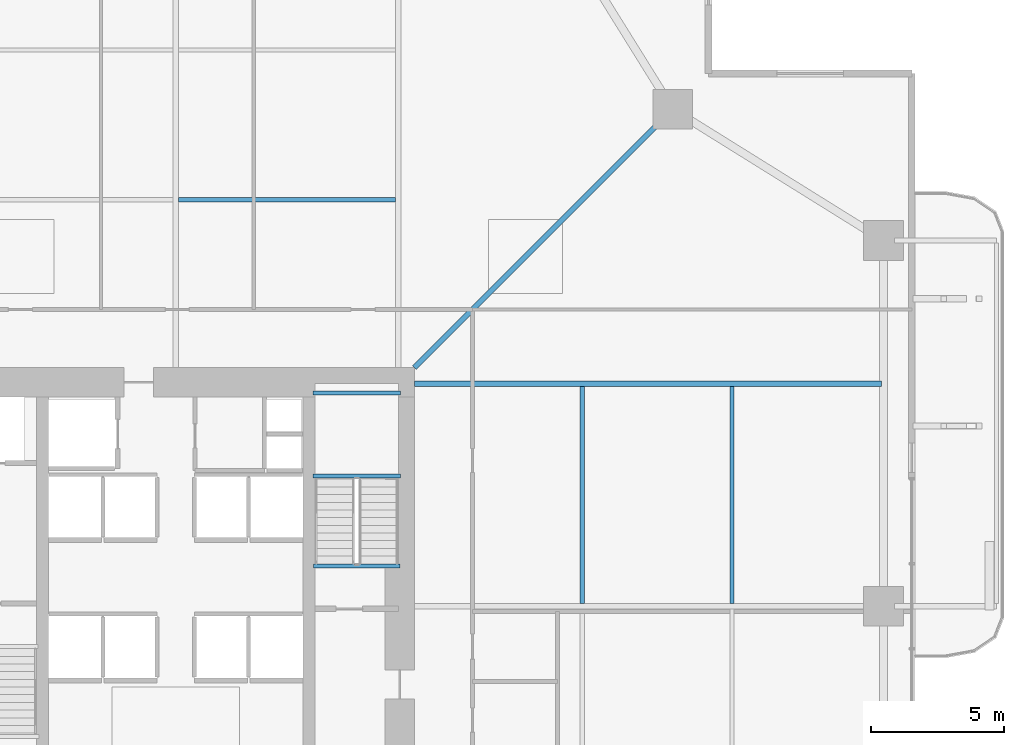
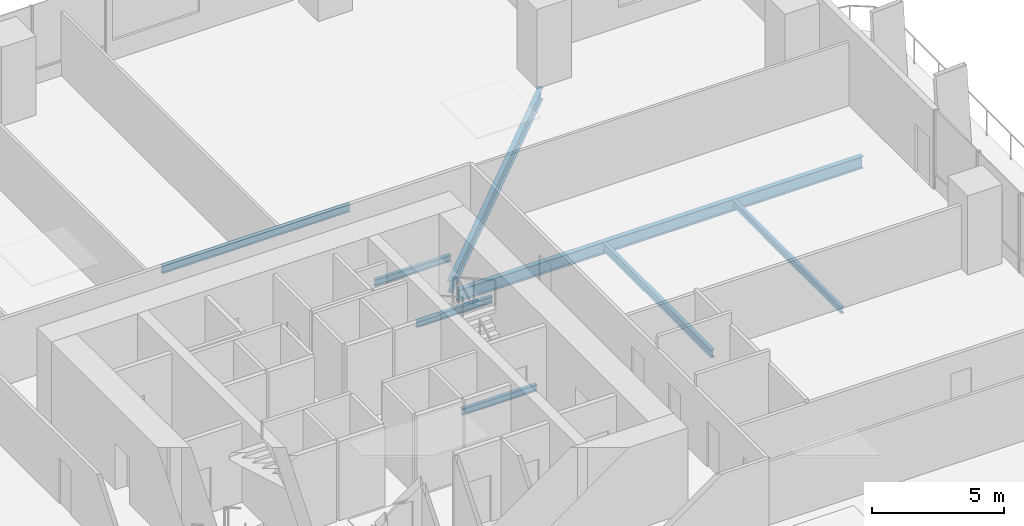
# One storey, part 12 of 24: 8 beams.
"""IFC4 building model written with IfcOpenShell, lengths in metres."""

from ifc_helpers import new_model, si_unit, direction, frame, origin, origin_2d, place, context, subcontext, project, spatial, i_section, extrude, material, material_profile, profile_set, type_object, element, save


model = new_model("IFC4")

# Units and contexts
model_context = context("Model", 3, precision=1e-05, world=origin(), true_north=direction((0.0, 1.0)))
body_context = subcontext(model_context, "Body", "Model", "MODEL_VIEW")
ifc_project = project(units=[si_unit("LENGTHUNIT", "METRE"), si_unit("AREAUNIT", "SQUARE_METRE"), si_unit("VOLUMEUNIT", "CUBIC_METRE"), si_unit("PLANEANGLEUNIT", "RADIAN"), si_unit("MASSUNIT", "GRAM", prefix="KILO")], contexts=[model_context])

# Site, building, storey
site_placement = place(None, origin())
site = spatial("IfcSite", under=ifc_project, at=site_placement, CompositionType="ELEMENT")
building_placement = place(site_placement, origin())
building = spatial("IfcBuilding", under=site, at=building_placement, Name="Belovzor Exchange Tower", CompositionType="ELEMENT")
storey_placement = place(building_placement, frame((0.0, 0.0, 61.199951171875)))
storey = spatial("IfcBuildingStorey", under=building, at=storey_placement, Name="L14", CompositionType="ELEMENT", Elevation=61.199951171875)

# Beams
ifc_material_1 = material(Name="Steel S355", Category="steel")
ifc_material_profile_1 = material_profile(ifc_material_1, i_section(OverallWidth=0.169921875, OverallDepth=0.360107421875, WebThickness=0.008056640625, FlangeThickness=0.0126953125, at=origin_2d()))
ifc_profile_set_1 = profile_set([ifc_material_profile_1], Name="Steel S355")
beam_type_1 = type_object("IfcBeamType", Name="Secondary Infill Floor Joist IPE 360", PredefinedType="BEAM", material=ifc_profile_set_1)
for number, where, z_axis, x_axis, name in (
    (1, (28.905029296875, 44.14501953125, -0.429931640625), (1.0, 0.0, 0.0), (0.0, 1.0, 0.0), "FJ-360 Secondary Infill Floor Joist IPE 360"),
    (2, (44.14501953125, 28.905029296875, -0.429931640625), (0.0, 1.0, 0.0), (-1.0, 0.0, 0.0), "FJ-360 Secondary Infill Floor Joist IPE 360"),
):
    element("IfcBeam", number, at=place(storey_placement, frame(where, z_axis=z_axis, x_axis=x_axis)), inside=storey, type_object=beam_type_1, Name=name, PredefinedType="BEAM", context=body_context, shape_type="SweptSolid", body=[
        extrude(i_section(OverallWidth=0.169921875, OverallDepth=0.360107421875, WebThickness=0.008056640625, FlangeThickness=0.0126953125, at=origin_2d()), origin(), (0.0, 0.0, 1.0), 8.18994140625),
    ])
ifc_material_2 = material(Name="Steel S355", Category="steel")
ifc_material_profile_2 = material_profile(ifc_material_2, i_section(OverallWidth=0.14990234375, OverallDepth=0.300048828125, WebThickness=0.007080078125, FlangeThickness=0.0107421875, at=origin_2d()))
ifc_profile_set_2 = profile_set([ifc_material_profile_2], Name="Steel S355")
beam_type_2 = type_object("IfcBeamType", Name="Secondary Trim Floor Joist IPE 300", PredefinedType="BEAM", material=ifc_profile_set_2)
for number, where, z_axis, x_axis, name in (
    (3, (37.280029296875, 33.7099609375, 1.60009765625), (-1.0, 0.0, 0.0), (0.0, -1.0, 0.0), "FJ-300 Secondary Trim Floor Joist IPE 300"),
    (4, (37.280029296875, 36.85009765625, 1.60009765625), (-1.0, 0.0, 0.0), (0.0, -1.0, 0.0), "FJ-300 Secondary Trim Floor Joist IPE 300"),
):
    element("IfcBeam", number, at=place(storey_placement, frame(where, z_axis=z_axis, x_axis=x_axis)), inside=storey, type_object=beam_type_2, Name=name, PredefinedType="BEAM", context=body_context, shape_type="SweptSolid", body=[
        extrude(i_section(OverallWidth=0.14990234375, OverallDepth=0.300048828125, WebThickness=0.007080078125, FlangeThickness=0.0107421875, at=origin_2d()), origin(), (0.0, 0.0, 1.0), 3.31005859375),
    ])
beam_1_placement = place(storey_placement, frame((37.260009765625, 30.320068359375, -0.39990234375), z_axis=(-1.0, 0.0, 0.0), x_axis=(0.0, -1.0, 0.0)))
element("IfcBeam", 5, at=beam_1_placement, inside=storey, type_object=beam_type_2, Name="FJ-300 Secondary Trim Floor Joist IPE 300", PredefinedType="BEAM", context=body_context, shape_type="SweptSolid", body=[
    extrude(i_section(OverallWidth=0.14990234375, OverallDepth=0.300048828125, WebThickness=0.007080078125, FlangeThickness=0.0107421875, at=origin_2d()), origin(), (0.0, 0.0, 1.0), 3.27001953125),
])
beam_2_placement = place(storey_placement, frame((49.784912109375, 28.905029296875, -0.39990234375), z_axis=(0.0, 1.0, 0.0), x_axis=(-1.0, 0.0, 0.0)))
element("IfcBeam", 6, at=beam_2_placement, inside=storey, type_object=beam_type_2, Name="FJ-300 Secondary Trim Floor Joist IPE 300", PredefinedType="BEAM", context=body_context, shape_type="SweptSolid", body=[
    extrude(i_section(OverallWidth=0.14990234375, OverallDepth=0.300048828125, WebThickness=0.007080078125, FlangeThickness=0.0107421875, at=origin_2d()), origin(), (0.0, 0.0, 1.0), 8.18994140625),
])
ifc_material_3 = material(Name="Steel S355", Category="steel")
ifc_material_profile_3 = material_profile(ifc_material_3, i_section(OverallWidth=0.2099609375, OverallDepth=0.550048828125, WebThickness=0.010986328125, FlangeThickness=0.01708984375, at=origin_2d()))
ifc_profile_set_3 = profile_set([ifc_material_profile_3], Name="Steel S355")
beam_type_3 = type_object("IfcBeamType", Name="Zone 1 Radial Composite Floor Beam IPE 550", PredefinedType="BEAM", material=ifc_profile_set_3)
beam_3_placement = place(storey_placement, frame((37.800048828125, 37.199951171875, -0.52490234375), z_axis=(1.0, 0.0, 0.0), x_axis=(0.0, 1.0, 0.0)))
element("IfcBeam", 7, at=beam_3_placement, inside=storey, type_object=beam_type_3, Name="FB-550 Zone 1 Radial Composite Floor Beam IPE 550", PredefinedType="BEAM", context=body_context, shape_type="SweptSolid", body=[
    extrude(i_section(OverallWidth=0.2099609375, OverallDepth=0.550048828125, WebThickness=0.010986328125, FlangeThickness=0.01708984375, at=origin_2d()), origin(), (0.0, 0.0, 1.0), 17.625),
])
beam_4_placement = place(storey_placement, frame((37.800048828125, 37.800048828125, -0.52490234375), z_axis=(0.707106781187, 0.707106781187, 0.0), x_axis=(-0.707106781187, 0.707106781187, 0.0)))
element("IfcBeam", 8, at=beam_4_placement, inside=storey, type_object=beam_type_3, Name="FB-550 Zone 1 Radial Composite Floor Beam IPE 550", PredefinedType="BEAM", context=body_context, shape_type="SweptSolid", body=[
    extrude(i_section(OverallWidth=0.2099609375, OverallDepth=0.550048828125, WebThickness=0.010986328125, FlangeThickness=0.01708984375, at=origin_2d()), origin(), (0.0, 0.0, 1.0), 13.25830078125),
])

save(model, "model.ifc")
